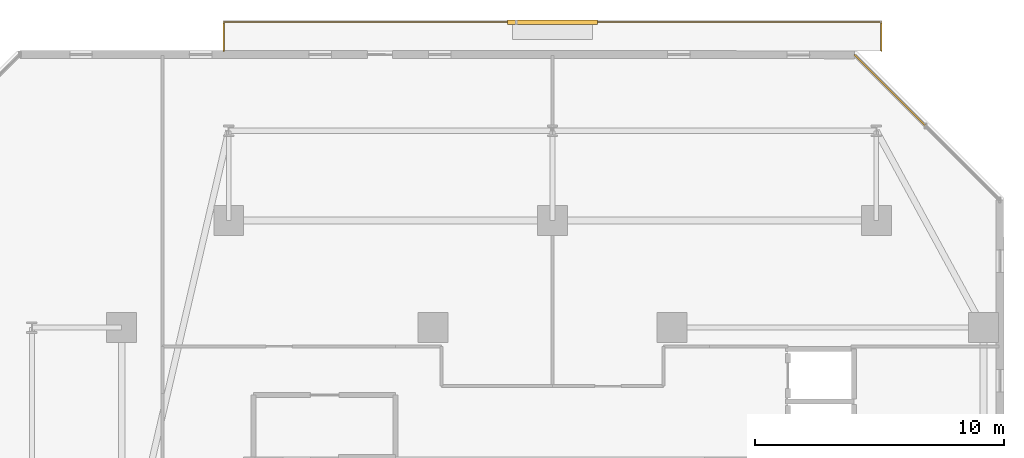
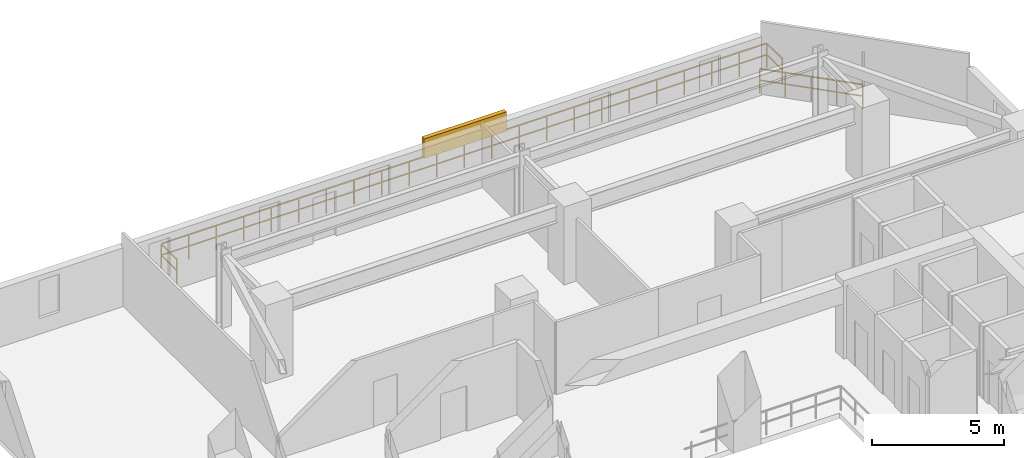
# One storey, part 30 of 30: 2 railings, 1 shading device.
"""IFC4 building model written with IfcOpenShell, lengths in metres."""

from ifc_helpers import new_model, si_unit, direction, frame, origin, origin_2d, place, context, subcontext, project, spatial, rectangle, extrude, material, type_object, element, save


model = new_model("IFC4")

# Units and contexts
model_context = context("Model", 3, precision=1e-05, world=origin(), true_north=direction((0.0, 1.0)))
body_context = subcontext(model_context, "Body", "Model", "MODEL_VIEW")
ifc_project = project(units=[si_unit("LENGTHUNIT", "METRE"), si_unit("AREAUNIT", "SQUARE_METRE"), si_unit("VOLUMEUNIT", "CUBIC_METRE"), si_unit("PLANEANGLEUNIT", "RADIAN"), si_unit("MASSUNIT", "GRAM", prefix="KILO")], contexts=[model_context])

# Site, building, storey
site_placement = place(None, origin())
site = spatial("IfcSite", under=ifc_project, at=site_placement, CompositionType="ELEMENT")
building_placement = place(site_placement, origin())
building = spatial("IfcBuilding", under=site, at=building_placement, Name="Thornwick Lancets Civic Towers", CompositionType="ELEMENT")
storey_placement = place(building_placement, frame((0.0, 0.0, 80.10009765625)))
storey = spatial("IfcBuildingStorey", under=building, at=storey_placement, Name="L20", CompositionType="ELEMENT", Elevation=80.10009765625)

# Railings
ifc_material_1 = material(Name="Terracotta-capped laminated glass balustrade S355", Category="masonry")
railing_type = type_object("IfcRailingType", Name="RAIL_TERR_GUARD", PredefinedType="GUARDRAIL", material=ifc_material_1)
railing_1_placement = place(storey_placement, frame((103.4716796875, 48.10400390625, 0.0)))
element("IfcRailing", 1, at=railing_1_placement, inside=storey, type_object=railing_type, Name="L20 Tower B Chamfer Spandrel Guard E3-1", PredefinedType="GUARDRAIL", context=body_context, shape_type="SweptSolid", body=[
    extrude(rectangle(XDim=0.048095703125, YDim=0.048095703125, at=origin_2d()), frame((0.0, 0.0, 1.1259765625), z_axis=(-0.707106781187, 0.707106781187, 0.0), x_axis=(-0.707106781187, -0.707106781187, 0.0)), (0.0, 0.0, 1.0), 4.03076171875),
    extrude(rectangle(XDim=0.0419921875, YDim=0.0419921875, at=origin_2d()), frame((-0.026611328125, 0.026611328125, 0.597900390625), z_axis=(-0.707106781187, 0.707106781187, 0.0), x_axis=(-0.707106781187, -0.707106781187, 0.0)), (0.0, 0.0, 1.0), 0.9326171875),
    extrude(rectangle(XDim=0.0419921875, YDim=0.0419921875, at=origin_2d()), frame((-0.739013671875, 0.739013671875, 0.597900390625), z_axis=(-0.707106781187, 0.707106781187, 0.0), x_axis=(-0.707106781187, -0.707106781187, 0.0)), (0.0, 0.0, 1.0), 0.9326171875),
    extrude(rectangle(XDim=0.0419921875, YDim=0.0419921875, at=origin_2d()), frame((-1.45166015625, 1.45166015625, 0.597900390625), z_axis=(-0.707106781187, 0.707106781187, 0.0), x_axis=(-0.707106781187, -0.707106781187, 0.0)), (0.0, 0.0, 1.0), 0.9326171875),
    extrude(rectangle(XDim=0.0419921875, YDim=0.0419921875, at=origin_2d()), frame((-2.1640625, 2.1640625, 0.597900390625), z_axis=(-0.707106781187, 0.707106781187, 0.0), x_axis=(-0.707106781187, -0.707106781187, 0.0)), (0.0, 0.0, 1.0), 0.9326171875),
    extrude(rectangle(XDim=0.0419921875, YDim=0.0419921875, at=origin_2d()), origin(), (0.0, 0.0, 1.0), 1.095703125),
    extrude(rectangle(XDim=0.0419921875, YDim=0.0419921875, at=origin_2d()), frame((-0.71240234375, 0.71240234375, 0.0)), (0.0, 0.0, 1.0), 1.095703125),
    extrude(rectangle(XDim=0.0419921875, YDim=0.0419921875, at=origin_2d()), frame((-1.425048828125, 1.425048828125, 0.0)), (0.0, 0.0, 1.0), 1.095703125),
    extrude(rectangle(XDim=0.0419921875, YDim=0.0419921875, at=origin_2d()), frame((-2.1376953125, 2.1376953125, 0.0)), (0.0, 0.0, 1.0), 1.095703125),
    extrude(rectangle(XDim=0.0419921875, YDim=0.0419921875, at=origin_2d()), frame((-2.85009765625, 2.85009765625, 0.0)), (0.0, 0.0, 1.0), 1.095703125),
])
railing_2_placement = place(storey_placement, frame((75.300048828125, 51.10009765625, 0.0)))
element("IfcRailing", 2, at=railing_2_placement, inside=storey, type_object=railing_type, Name="L20 Tower B Balcony Guard N", PredefinedType="GUARDRAIL", context=body_context, shape_type="SweptSolid", body=[
    extrude(rectangle(XDim=0.048095703125, YDim=0.048095703125, at=origin_2d()), frame((0.0, 0.0, 1.1259765625), z_axis=(0.0, 1.0, 0.0), x_axis=(-1.0, 0.0, 0.0)), (0.0, 0.0, 1.0), 1.138671875),
    extrude(rectangle(XDim=0.0419921875, YDim=0.0419921875, at=origin_2d()), frame((0.0, 0.03759765625, 0.597900390625), z_axis=(0.0, 1.0, 0.0), x_axis=(-1.0, 0.0, 0.0)), (0.0, 0.0, 1.0), 1.094970703125),
    extrude(rectangle(XDim=0.048095703125, YDim=0.048095703125, at=origin_2d()), frame((0.03125, 1.169921875, 1.1259765625), z_axis=(1.0, 0.0, 0.0), x_axis=(0.0, 1.0, 0.0)), (0.0, 0.0, 1.0), 26.33740234375),
    extrude(rectangle(XDim=0.0419921875, YDim=0.0419921875, at=origin_2d()), frame((0.03759765625, 1.169921875, 0.597900390625), z_axis=(1.0, 0.0, 0.0), x_axis=(0.0, 1.0, 0.0)), (0.0, 0.0, 1.0), 1.125),
    extrude(rectangle(XDim=0.0419921875, YDim=0.0419921875, at=origin_2d()), frame((1.237548828125, 1.169921875, 0.597900390625), z_axis=(1.0, 0.0, 0.0), x_axis=(0.0, 1.0, 0.0)), (0.0, 0.0, 1.0), 1.125),
    extrude(rectangle(XDim=0.0419921875, YDim=0.0419921875, at=origin_2d()), frame((2.4375, 1.169921875, 0.597900390625), z_axis=(1.0, 0.0, 0.0), x_axis=(0.0, 1.0, 0.0)), (0.0, 0.0, 1.0), 1.125),
    extrude(rectangle(XDim=0.0419921875, YDim=0.0419921875, at=origin_2d()), frame((3.637451171875, 1.169921875, 0.597900390625), z_axis=(1.0, 0.0, 0.0), x_axis=(0.0, 1.0, 0.0)), (0.0, 0.0, 1.0), 1.125),
    extrude(rectangle(XDim=0.0419921875, YDim=0.0419921875, at=origin_2d()), frame((4.83740234375, 1.169921875, 0.597900390625), z_axis=(1.0, 0.0, 0.0), x_axis=(0.0, 1.0, 0.0)), (0.0, 0.0, 1.0), 1.125),
    extrude(rectangle(XDim=0.0419921875, YDim=0.0419921875, at=origin_2d()), frame((6.037353515625, 1.169921875, 0.597900390625), z_axis=(1.0, 0.0, 0.0), x_axis=(0.0, 1.0, 0.0)), (0.0, 0.0, 1.0), 1.125),
    extrude(rectangle(XDim=0.0419921875, YDim=0.0419921875, at=origin_2d()), frame((7.237548828125, 1.169921875, 0.597900390625), z_axis=(1.0, 0.0, 0.0), x_axis=(0.0, 1.0, 0.0)), (0.0, 0.0, 1.0), 1.125),
    extrude(rectangle(XDim=0.0419921875, YDim=0.0419921875, at=origin_2d()), frame((8.4375, 1.169921875, 0.597900390625), z_axis=(1.0, 0.0, 0.0), x_axis=(0.0, 1.0, 0.0)), (0.0, 0.0, 1.0), 1.125),
    extrude(rectangle(XDim=0.0419921875, YDim=0.0419921875, at=origin_2d()), frame((9.637451171875, 1.169921875, 0.597900390625), z_axis=(1.0, 0.0, 0.0), x_axis=(0.0, 1.0, 0.0)), (0.0, 0.0, 1.0), 1.125),
    extrude(rectangle(XDim=0.0419921875, YDim=0.0419921875, at=origin_2d()), frame((10.83740234375, 1.169921875, 0.597900390625), z_axis=(1.0, 0.0, 0.0), x_axis=(0.0, 1.0, 0.0)), (0.0, 0.0, 1.0), 1.125),
    extrude(rectangle(XDim=0.0419921875, YDim=0.0419921875, at=origin_2d()), frame((12.037353515625, 1.169921875, 0.597900390625), z_axis=(1.0, 0.0, 0.0), x_axis=(0.0, 1.0, 0.0)), (0.0, 0.0, 1.0), 1.125),
    extrude(rectangle(XDim=0.0419921875, YDim=0.0419921875, at=origin_2d()), frame((13.237548828125, 1.169921875, 0.597900390625), z_axis=(1.0, 0.0, 0.0), x_axis=(0.0, 1.0, 0.0)), (0.0, 0.0, 1.0), 1.125),
    extrude(rectangle(XDim=0.0419921875, YDim=0.0419921875, at=origin_2d()), frame((14.4375, 1.169921875, 0.597900390625), z_axis=(1.0, 0.0, 0.0), x_axis=(0.0, 1.0, 0.0)), (0.0, 0.0, 1.0), 1.125),
    extrude(rectangle(XDim=0.0419921875, YDim=0.0419921875, at=origin_2d()), frame((15.637451171875, 1.169921875, 0.597900390625), z_axis=(1.0, 0.0, 0.0), x_axis=(0.0, 1.0, 0.0)), (0.0, 0.0, 1.0), 1.125),
    extrude(rectangle(XDim=0.0419921875, YDim=0.0419921875, at=origin_2d()), frame((16.83740234375, 1.169921875, 0.597900390625), z_axis=(1.0, 0.0, 0.0), x_axis=(0.0, 1.0, 0.0)), (0.0, 0.0, 1.0), 1.125),
    extrude(rectangle(XDim=0.0419921875, YDim=0.0419921875, at=origin_2d()), frame((18.037353515625, 1.169921875, 0.597900390625), z_axis=(1.0, 0.0, 0.0), x_axis=(0.0, 1.0, 0.0)), (0.0, 0.0, 1.0), 1.125),
    extrude(rectangle(XDim=0.0419921875, YDim=0.0419921875, at=origin_2d()), frame((19.2373046875, 1.169921875, 0.597900390625), z_axis=(1.0, 0.0, 0.0), x_axis=(0.0, 1.0, 0.0)), (0.0, 0.0, 1.0), 1.125),
    extrude(rectangle(XDim=0.0419921875, YDim=0.0419921875, at=origin_2d()), frame((20.4375, 1.169921875, 0.597900390625), z_axis=(1.0, 0.0, 0.0), x_axis=(0.0, 1.0, 0.0)), (0.0, 0.0, 1.0), 1.125),
    extrude(rectangle(XDim=0.0419921875, YDim=0.0419921875, at=origin_2d()), frame((21.637451171875, 1.169921875, 0.597900390625), z_axis=(1.0, 0.0, 0.0), x_axis=(0.0, 1.0, 0.0)), (0.0, 0.0, 1.0), 1.125),
    extrude(rectangle(XDim=0.0419921875, YDim=0.0419921875, at=origin_2d()), frame((22.83740234375, 1.169921875, 0.597900390625), z_axis=(1.0, 0.0, 0.0), x_axis=(0.0, 1.0, 0.0)), (0.0, 0.0, 1.0), 1.125),
    extrude(rectangle(XDim=0.0419921875, YDim=0.0419921875, at=origin_2d()), frame((24.037353515625, 1.169921875, 0.597900390625), z_axis=(1.0, 0.0, 0.0), x_axis=(0.0, 1.0, 0.0)), (0.0, 0.0, 1.0), 1.125),
    extrude(rectangle(XDim=0.0419921875, YDim=0.0419921875, at=origin_2d()), frame((25.2373046875, 1.169921875, 0.597900390625), z_axis=(1.0, 0.0, 0.0), x_axis=(0.0, 1.0, 0.0)), (0.0, 0.0, 1.0), 1.125),
    extrude(rectangle(XDim=0.048095703125, YDim=0.048095703125, at=origin_2d()), frame((26.39990234375, 1.138671875, 1.1259765625), z_axis=(0.0, -1.0, 0.0), x_axis=(1.0, 0.0, 0.0)), (0.0, 0.0, 1.0), 1.138671875),
    extrude(rectangle(XDim=0.0419921875, YDim=0.0419921875, at=origin_2d()), frame((26.39990234375, 1.13232421875, 0.597900390625), z_axis=(0.0, -1.0, 0.0), x_axis=(1.0, 0.0, 0.0)), (0.0, 0.0, 1.0), 1.094970703125),
    extrude(rectangle(XDim=0.0419921875, YDim=0.0419921875, at=origin_2d()), origin(), (0.0, 0.0, 1.0), 1.095703125),
    extrude(rectangle(XDim=0.0419921875, YDim=0.0419921875, at=origin_2d()), frame((0.0, 1.169921875, 0.0)), (0.0, 0.0, 1.0), 1.095703125),
    extrude(rectangle(XDim=0.0419921875, YDim=0.0419921875, at=origin_2d()), frame((1.199951171875, 1.169921875, 0.0)), (0.0, 0.0, 1.0), 1.095703125),
    extrude(rectangle(XDim=0.0419921875, YDim=0.0419921875, at=origin_2d()), frame((2.39990234375, 1.169921875, 0.0)), (0.0, 0.0, 1.0), 1.095703125),
    extrude(rectangle(XDim=0.0419921875, YDim=0.0419921875, at=origin_2d()), frame((3.60009765625, 1.169921875, 0.0)), (0.0, 0.0, 1.0), 1.095703125),
    extrude(rectangle(XDim=0.0419921875, YDim=0.0419921875, at=origin_2d()), frame((4.800048828125, 1.169921875, 0.0)), (0.0, 0.0, 1.0), 1.095703125),
    extrude(rectangle(XDim=0.0419921875, YDim=0.0419921875, at=origin_2d()), frame((6.0, 1.169921875, 0.0)), (0.0, 0.0, 1.0), 1.095703125),
    extrude(rectangle(XDim=0.0419921875, YDim=0.0419921875, at=origin_2d()), frame((7.199951171875, 1.169921875, 0.0)), (0.0, 0.0, 1.0), 1.095703125),
    extrude(rectangle(XDim=0.0419921875, YDim=0.0419921875, at=origin_2d()), frame((8.39990234375, 1.169921875, 0.0)), (0.0, 0.0, 1.0), 1.095703125),
    extrude(rectangle(XDim=0.0419921875, YDim=0.0419921875, at=origin_2d()), frame((9.599853515625, 1.169921875, 0.0)), (0.0, 0.0, 1.0), 1.095703125),
    extrude(rectangle(XDim=0.0419921875, YDim=0.0419921875, at=origin_2d()), frame((10.800048828125, 1.169921875, 0.0)), (0.0, 0.0, 1.0), 1.095703125),
    extrude(rectangle(XDim=0.0419921875, YDim=0.0419921875, at=origin_2d()), frame((12.0, 1.169921875, 0.0)), (0.0, 0.0, 1.0), 1.095703125),
    extrude(rectangle(XDim=0.0419921875, YDim=0.0419921875, at=origin_2d()), frame((13.199951171875, 1.169921875, 0.0)), (0.0, 0.0, 1.0), 1.095703125),
    extrude(rectangle(XDim=0.0419921875, YDim=0.0419921875, at=origin_2d()), frame((14.39990234375, 1.169921875, 0.0)), (0.0, 0.0, 1.0), 1.095703125),
    extrude(rectangle(XDim=0.0419921875, YDim=0.0419921875, at=origin_2d()), frame((15.599853515625, 1.169921875, 0.0)), (0.0, 0.0, 1.0), 1.095703125),
    extrude(rectangle(XDim=0.0419921875, YDim=0.0419921875, at=origin_2d()), frame((16.800048828125, 1.169921875, 0.0)), (0.0, 0.0, 1.0), 1.095703125),
    extrude(rectangle(XDim=0.0419921875, YDim=0.0419921875, at=origin_2d()), frame((18.0, 1.169921875, 0.0)), (0.0, 0.0, 1.0), 1.095703125),
    extrude(rectangle(XDim=0.0419921875, YDim=0.0419921875, at=origin_2d()), frame((19.199951171875, 1.169921875, 0.0)), (0.0, 0.0, 1.0), 1.095703125),
    extrude(rectangle(XDim=0.0419921875, YDim=0.0419921875, at=origin_2d()), frame((20.39990234375, 1.169921875, 0.0)), (0.0, 0.0, 1.0), 1.095703125),
    extrude(rectangle(XDim=0.0419921875, YDim=0.0419921875, at=origin_2d()), frame((21.599853515625, 1.169921875, 0.0)), (0.0, 0.0, 1.0), 1.095703125),
    extrude(rectangle(XDim=0.0419921875, YDim=0.0419921875, at=origin_2d()), frame((22.7998046875, 1.169921875, 0.0)), (0.0, 0.0, 1.0), 1.095703125),
    extrude(rectangle(XDim=0.0419921875, YDim=0.0419921875, at=origin_2d()), frame((24.0, 1.169921875, 0.0)), (0.0, 0.0, 1.0), 1.095703125),
    extrude(rectangle(XDim=0.0419921875, YDim=0.0419921875, at=origin_2d()), frame((25.199951171875, 1.169921875, 0.0)), (0.0, 0.0, 1.0), 1.095703125),
    extrude(rectangle(XDim=0.0419921875, YDim=0.0419921875, at=origin_2d()), frame((26.39990234375, 1.169921875, 0.0)), (0.0, 0.0, 1.0), 1.095703125),
    extrude(rectangle(XDim=0.0419921875, YDim=0.0419921875, at=origin_2d()), frame((26.39990234375, 0.0, 0.0)), (0.0, 0.0, 1.0), 1.095703125),
])

# Shading device
ifc_material_2 = material(Name="Extruded terracotta baguette solar screen", Category="masonry")
shading_device_type = type_object("IfcShadingDeviceType", Name="SHADE_BAGUETTE", PredefinedType="JALOUSIE", material=ifc_material_2)
shading_device_placement = place(storey_placement, frame((88.5, 52.260009765625, 1.119873046875), z_axis=(0.0, 0.0, 1.0), x_axis=(1.0, 0.0, 0.0)))
element("IfcShadingDevice", 3, at=shading_device_placement, inside=storey, type_object=shading_device_type, Name="L20 Tower B Terracotta Baguette Screen N", PredefinedType="JALOUSIE", context=body_context, shape_type="SweptSolid", body=[
    extrude(rectangle(XDim=3.60009765625, YDim=0.179931640625, at=origin_2d()), origin(), (0.0, 0.0, 1.0), 0.89990234375),
])

save(model, "model.ifc")
